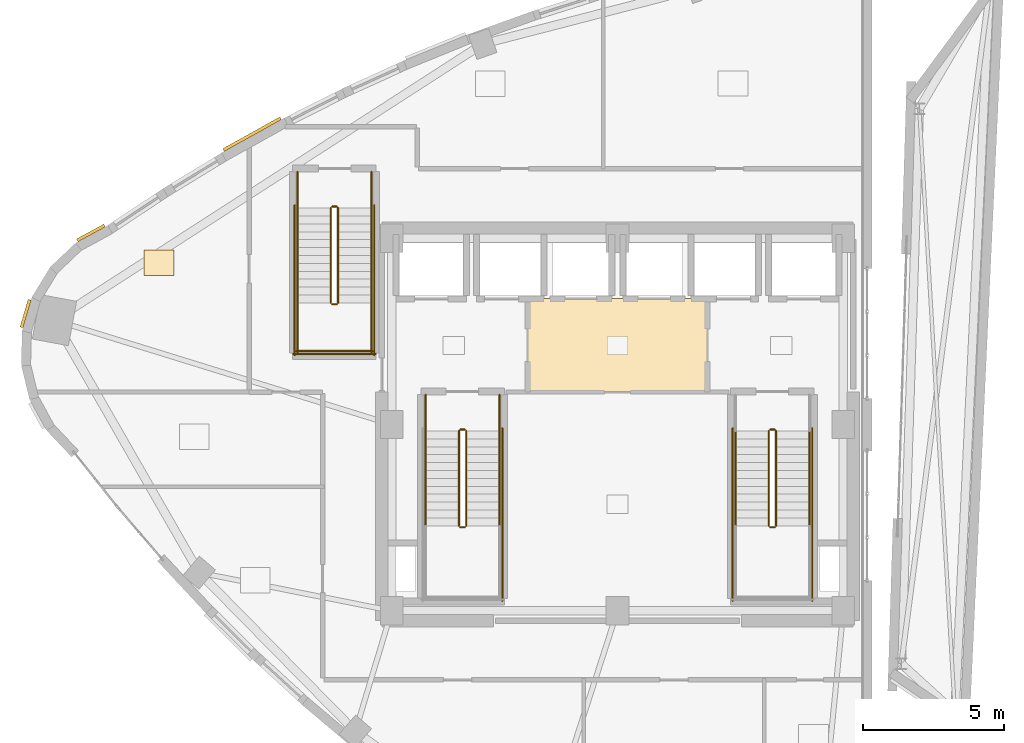
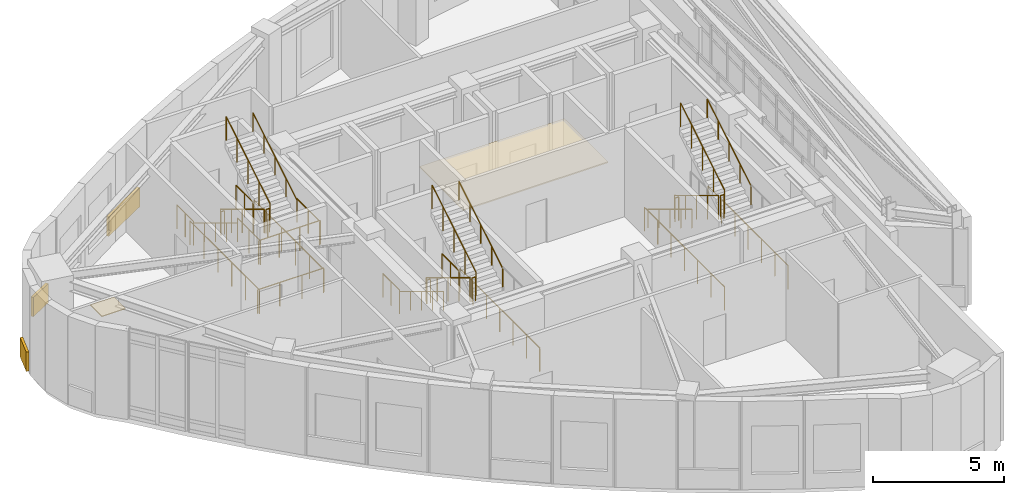
# One storey, part 18 of 19: 31 railings, 5 coverings.
"""IFC4 building model written with IfcOpenShell, lengths in metres."""

from ifc_helpers import new_model, si_unit, direction, frame, origin, origin_2d, place, context, subcontext, project, spatial, rectangle, circle, extrude, material, layer, layer_set, type_object, element, save


model = new_model("IFC4")

# Units and contexts
model_context = context("Model", 3, precision=1e-05, world=origin(), true_north=direction((0.0, 1.0)))
body_context = subcontext(model_context, "Body", "Model", "MODEL_VIEW")
ifc_project = project(units=[si_unit("LENGTHUNIT", "METRE"), si_unit("AREAUNIT", "SQUARE_METRE"), si_unit("VOLUMEUNIT", "CUBIC_METRE"), si_unit("PLANEANGLEUNIT", "RADIAN"), si_unit("MASSUNIT", "GRAM", prefix="KILO")], contexts=[model_context])

# Site, building, storey
site_placement = place(None, origin())
site = spatial("IfcSite", under=ifc_project, at=site_placement, CompositionType="ELEMENT")
building_placement = place(site_placement, origin())
building = spatial("IfcBuilding", under=site, at=building_placement, Name="Ndelora Gate Hotel", CompositionType="ELEMENT")
storey_placement = place(building_placement, frame((0.0, 0.0, 290.39990234375)))
storey = spatial("IfcBuildingStorey", under=building, at=storey_placement, Name="L72", CompositionType="ELEMENT", Elevation=290.39990234375)

# Coverings
ifc_material_1 = material(Name="Perforated Acoustic Gypsum Board", Category="gypsum")
ifc_layer_1 = layer(ifc_material_1, 0.054931640625)
ifc_layer_set_1 = layer_set([ifc_layer_1], Name="Perforated Acoustic Gypsum Board")
covering_type_1 = type_object("IfcCoveringType", Name="COV-CEIL-AC60", PredefinedType="CEILING", material=ifc_layer_set_1)
covering_1_placement = place(storey_placement, frame((0.0, 2.800048828125, 2.72265625), z_axis=(0.0, 0.0, 1.0), x_axis=(1.0, 0.0, 0.0)))
element("IfcCovering", 1, at=covering_1_placement, inside=storey, type_object=covering_type_1, Name="L72 Lift Lobby Acoustic Ceiling", PredefinedType="CEILING", context=body_context, shape_type="SweptSolid", body=[
    extrude(rectangle(XDim=6.39990234375, YDim=3.340087890625, at=origin_2d()), origin(), (0.0, 0.0, 1.0), 0.054931640625),
])
ifc_material_2 = material(Name="Terracotta Fired Clay Brick Slip Cladding", Category="masonry")
ifc_layer_2 = layer(ifc_material_2, 0.110107421875)
ifc_layer_set_2 = layer_set([ifc_layer_2], Name="Terracotta Fired Clay Brick Slip Cladding")
covering_type_2 = type_object("IfcCoveringType", Name="COV-CLAD-BRK", PredefinedType="CLADDING", material=ifc_layer_set_2)
covering_2_placement = place(storey_placement, frame((-18.65771484375, 6.7890625, 0.10009765625), z_axis=(0.0, 0.0, 1.0), x_axis=(0.878150016915, 0.478385354909, 0.0)))
element("IfcCovering", 2, at=covering_2_placement, inside=storey, type_object=covering_type_2, Name="L72 Rounded-Corner Brick Cladding Band 1", PredefinedType="CLADDING", context=body_context, shape_type="SweptSolid", body=[
    extrude(rectangle(XDim=1.09912109375, YDim=0.110107421875, at=origin_2d()), origin(), (0.0, 0.0, 1.0), 0.89990234375),
])
covering_3_placement = place(storey_placement, frame((-20.9736328125, 3.930419921875, 0.10009765625), z_axis=(0.0, 0.0, 1.0), x_axis=(0.282508884416, 0.959264682049, 0.0)))
element("IfcCovering", 3, at=covering_3_placement, inside=storey, type_object=covering_type_2, Name="L72 Rounded-Corner Brick Cladding Band 7", PredefinedType="CLADDING", context=body_context, shape_type="SweptSolid", body=[
    extrude(rectangle(XDim=1.01611328125, YDim=0.110107421875, at=origin_2d()), origin(), (0.0, 0.0, 1.0), 0.89990234375),
])
covering_4_placement = place(storey_placement, frame((-12.94775390625, 10.28857421875, 0.10009765625), z_axis=(0.0, 0.0, 1.0), x_axis=(0.873941932872, 0.486030346756, 0.0)))
element("IfcCovering", 4, at=covering_4_placement, inside=storey, type_object=covering_type_2, Name="L72 Rounded-Corner Brick Cladding Band 61", PredefinedType="CLADDING", context=body_context, shape_type="SweptSolid", body=[
    extrude(rectangle(XDim=2.31298828125, YDim=0.110107421875, at=origin_2d()), origin(), (0.0, 0.0, 1.0), 0.89990234375),
])
ifc_material_3 = material(Name="Engineered Highland Oak Parquet", Category="wood")
ifc_layer_3 = layer(ifc_material_3, 0.030029296875)
ifc_layer_set_3 = layer_set([ifc_layer_3], Name="Engineered Highland Oak Parquet")
covering_type_3 = type_object("IfcCoveringType", Name="COV-FLR-PARQ", PredefinedType="FLOORING", material=ifc_layer_set_3)
covering_5_placement = place(storey_placement, frame((-16.2470703125, 5.735107421875, 0.0), z_axis=(0.0, 0.0, 1.0), x_axis=(1.0, 0.0, 0.0)))
element("IfcCovering", 5, at=covering_5_placement, inside=storey, type_object=covering_type_3, Name="L72 Botanical Tea Dining Room Oak Parquet Flooring", PredefinedType="FLOORING", context=body_context, shape_type="SweptSolid", body=[
    extrude(rectangle(XDim=1.050048828125, YDim=0.89990234375, at=origin_2d()), origin(), (0.0, 0.0, 1.0), 0.030029296875),
])

# Railings
ifc_material_4 = material(Name="Painted Galvanized Steel Balustrade", Category="steel")
ifc_layer_4 = layer(ifc_material_4, 0.06005859375)
ifc_layer_set_4 = layer_set([ifc_layer_4], Name="Painted Galvanized Steel Balustrade")
railing_type_1 = type_object("IfcRailingType", Name="RL-STAIR-GD", PredefinedType="GUARDRAIL", material=ifc_layer_set_4)
railing_1_placement = place(storey_placement, frame((-5.6201171875, -0.22998046875, 0.16943359375)))
element("IfcRailing", 6, at=railing_1_placement, inside=storey, type_object=railing_type_1, Name="L72 ST4 stair guard 1", PredefinedType="GUARDRAIL", context=body_context, shape_type="SweptSolid", body=[
    extrude(circle(Radius=0.02392578125, at=origin_2d()), frame((0.0, 0.0, 1.10595703125), z_axis=(0.0, -0.855836976705, 0.517245656632), x_axis=(1.0, 0.0, 0.0)), (0.0, 0.0, 1.0), 3.926025390625),
    extrude(circle(Radius=0.02099609375, at=origin_2d()), origin(), (0.0, 0.0, 1.0), 1.081787109375),
    extrude(circle(Radius=0.02099609375, at=origin_2d()), frame((0.0, -0.840087890625, 0.5078125)), (0.0, 0.0, 1.0), 1.081787109375),
    extrude(circle(Radius=0.02099609375, at=origin_2d()), frame((0.0, -1.68017578125, 1.015380859375)), (0.0, 0.0, 1.0), 1.081787109375),
    extrude(circle(Radius=0.02099609375, at=origin_2d()), frame((0.0, -2.52001953125, 1.52294921875)), (0.0, 0.0, 1.0), 1.081787109375),
    extrude(circle(Radius=0.02099609375, at=origin_2d()), frame((0.0, -3.360107421875, 2.03076171875)), (0.0, 0.0, 1.0), 1.081787109375),
])
railing_2_placement = place(storey_placement, frame((-5.570068359375, -3.639892578125, 2.2001953125)))
element("IfcRailing", 7, at=railing_2_placement, inside=storey, type_object=railing_type_1, Name="L72 ST4 stair guard 2", PredefinedType="GUARDRAIL", context=body_context, shape_type="SweptSolid", body=[
    extrude(circle(Radius=0.02392578125, at=origin_2d()), frame((0.0, 0.0, 1.10595703125), z_axis=(1.0, 0.0, 0.0), x_axis=(0.0, 1.0, 0.0)), (0.0, 0.0, 1.0), 0.16015625),
    extrude(circle(Radius=0.02099609375, at=origin_2d()), origin(), (0.0, 0.0, 1.0), 1.081787109375),
    extrude(circle(Radius=0.02099609375, at=origin_2d()), frame((0.16015625, 0.0, 0.0)), (0.0, 0.0, 1.0), 1.081787109375),
])
railing_3_placement = place(storey_placement, frame((-5.360107421875, -3.590087890625, 2.369384765625)))
element("IfcRailing", 8, at=railing_3_placement, inside=storey, type_object=railing_type_1, Name="L72 ST4 stair guard 6", PredefinedType="GUARDRAIL", context=body_context, shape_type="SweptSolid", body=[
    extrude(circle(Radius=0.02392578125, at=origin_2d()), frame((0.0, 0.0, 1.10595703125), z_axis=(0.0, 0.855836976705, 0.517245656632), x_axis=(-1.0, 0.0, 0.0)), (0.0, 0.0, 1.0), 3.926025390625),
    extrude(circle(Radius=0.02099609375, at=origin_2d()), origin(), (0.0, 0.0, 1.0), 1.081787109375),
    extrude(circle(Radius=0.02099609375, at=origin_2d()), frame((0.0, 0.840087890625, 0.5078125)), (0.0, 0.0, 1.0), 1.081787109375),
    extrude(circle(Radius=0.02099609375, at=origin_2d()), frame((0.0, 1.68017578125, 1.015380859375)), (0.0, 0.0, 1.0), 1.081787109375),
    extrude(circle(Radius=0.02099609375, at=origin_2d()), frame((0.0, 2.52001953125, 1.52294921875)), (0.0, 0.0, 1.0), 1.081787109375),
    extrude(circle(Radius=0.02099609375, at=origin_2d()), frame((0.0, 3.360107421875, 2.03076171875)), (0.0, 0.0, 1.0), 1.081787109375),
])
railing_4_placement = place(storey_placement, frame((-5.570068359375, -0.179931640625, 0.0)))
element("IfcRailing", 9, at=railing_4_placement, inside=storey, type_object=railing_type_1, Name="L72 ST4 stair guard 7", PredefinedType="GUARDRAIL", context=body_context, shape_type="SweptSolid", body=[
    extrude(circle(Radius=0.02392578125, at=origin_2d()), frame((0.0, 0.0, 1.10595703125), z_axis=(1.0, 0.0, 0.0), x_axis=(0.0, 1.0, 0.0)), (0.0, 0.0, 1.0), 0.16015625),
    extrude(circle(Radius=0.02099609375, at=origin_2d()), origin(), (0.0, 0.0, 1.0), 1.081787109375),
    extrude(circle(Radius=0.02099609375, at=origin_2d()), frame((0.16015625, 0.0, 0.0)), (0.0, 0.0, 1.0), 1.081787109375),
])
for number, where, name in (
    (10, (-6.800048828125, 1.050048828125, 0.0), "L72 ST4 stair guard 8"),
    (11, (-4.179931640625, 1.050048828125, 0.0), "L72 ST4 stair guard 9"),
):
    element("IfcRailing", number, at=place(storey_placement, frame(where)), inside=storey, type_object=railing_type_1, Name=name, PredefinedType="GUARDRAIL", context=body_context, shape_type="SweptSolid", body=[
        extrude(circle(Radius=0.02392578125, at=origin_2d()), frame((0.0, 0.0, 1.10595703125), z_axis=(0.0, -1.0, 0.0), x_axis=(1.0, 0.0, 0.0)), (0.0, 0.0, 1.0), 1.280029296875),
        extrude(circle(Radius=0.02099609375, at=origin_2d()), origin(), (0.0, 0.0, 1.0), 1.081787109375),
        extrude(circle(Radius=0.02099609375, at=origin_2d()), frame((0.0, -0.64013671875, 0.0)), (0.0, 0.0, 1.0), 1.081787109375),
        extrude(circle(Radius=0.02099609375, at=origin_2d()), frame((0.0, -1.280029296875, 0.0)), (0.0, 0.0, 1.0), 1.081787109375),
    ])
railing_5_placement = place(storey_placement, frame((-4.080078125, -0.1298828125, 0.0)))
element("IfcRailing", 12, at=railing_5_placement, inside=storey, type_object=railing_type_1, Name="L72 ST4 stair guard 11", PredefinedType="GUARDRAIL", context=body_context, shape_type="SweptSolid", body=[
    extrude(circle(Radius=0.02392578125, at=origin_2d()), frame((0.0, 0.0, 1.10595703125), z_axis=(0.0, -1.0, 0.0), x_axis=(1.0, 0.0, 0.0)), (0.0, 0.0, 1.0), 6.1201171875),
    extrude(circle(Radius=0.02099609375, at=origin_2d()), origin(), (0.0, 0.0, 1.0), 1.081787109375),
    extrude(circle(Radius=0.02099609375, at=origin_2d()), frame((0.0, -1.02001953125, 0.0)), (0.0, 0.0, 1.0), 1.081787109375),
    extrude(circle(Radius=0.02099609375, at=origin_2d()), frame((0.0, -2.0400390625, 0.0)), (0.0, 0.0, 1.0), 1.081787109375),
    extrude(circle(Radius=0.02099609375, at=origin_2d()), frame((0.0, -3.06005859375, 0.0)), (0.0, 0.0, 1.0), 1.081787109375),
    extrude(circle(Radius=0.02099609375, at=origin_2d()), frame((0.0, -4.080078125, 0.0)), (0.0, 0.0, 1.0), 1.081787109375),
    extrude(circle(Radius=0.02099609375, at=origin_2d()), frame((0.0, -5.10009765625, 0.0)), (0.0, 0.0, 1.0), 1.081787109375),
    extrude(circle(Radius=0.02099609375, at=origin_2d()), frame((0.0, -6.1201171875, 0.0)), (0.0, 0.0, 1.0), 1.081787109375),
])
railing_6_placement = place(storey_placement, frame((5.360107421875, -0.22998046875, 0.16943359375)))
element("IfcRailing", 13, at=railing_6_placement, inside=storey, type_object=railing_type_1, Name="L72 ST5 stair guard 1", PredefinedType="GUARDRAIL", context=body_context, shape_type="SweptSolid", body=[
    extrude(circle(Radius=0.02392578125, at=origin_2d()), frame((0.0, 0.0, 1.10595703125), z_axis=(0.0, -0.855836976705, 0.517245656632), x_axis=(1.0, 0.0, 0.0)), (0.0, 0.0, 1.0), 3.926025390625),
    extrude(circle(Radius=0.02099609375, at=origin_2d()), origin(), (0.0, 0.0, 1.0), 1.081787109375),
    extrude(circle(Radius=0.02099609375, at=origin_2d()), frame((0.0, -0.840087890625, 0.5078125)), (0.0, 0.0, 1.0), 1.081787109375),
    extrude(circle(Radius=0.02099609375, at=origin_2d()), frame((0.0, -1.68017578125, 1.015380859375)), (0.0, 0.0, 1.0), 1.081787109375),
    extrude(circle(Radius=0.02099609375, at=origin_2d()), frame((0.0, -2.52001953125, 1.52294921875)), (0.0, 0.0, 1.0), 1.081787109375),
    extrude(circle(Radius=0.02099609375, at=origin_2d()), frame((0.0, -3.360107421875, 2.03076171875)), (0.0, 0.0, 1.0), 1.081787109375),
])
railing_7_placement = place(storey_placement, frame((5.409912109375, -3.639892578125, 2.2001953125)))
element("IfcRailing", 14, at=railing_7_placement, inside=storey, type_object=railing_type_1, Name="L72 ST5 stair guard 2", PredefinedType="GUARDRAIL", context=body_context, shape_type="SweptSolid", body=[
    extrude(circle(Radius=0.02392578125, at=origin_2d()), frame((0.0, 0.0, 1.10595703125), z_axis=(1.0, 0.0, 0.0), x_axis=(0.0, 1.0, 0.0)), (0.0, 0.0, 1.0), 0.16015625),
    extrude(circle(Radius=0.02099609375, at=origin_2d()), origin(), (0.0, 0.0, 1.0), 1.081787109375),
    extrude(circle(Radius=0.02099609375, at=origin_2d()), frame((0.16015625, 0.0, 0.0)), (0.0, 0.0, 1.0), 1.081787109375),
])
railing_8_placement = place(storey_placement, frame((5.6201171875, -3.590087890625, 2.369384765625)))
element("IfcRailing", 15, at=railing_8_placement, inside=storey, type_object=railing_type_1, Name="L72 ST5 stair guard 6", PredefinedType="GUARDRAIL", context=body_context, shape_type="SweptSolid", body=[
    extrude(circle(Radius=0.02392578125, at=origin_2d()), frame((0.0, 0.0, 1.10595703125), z_axis=(0.0, 0.855836976705, 0.517245656632), x_axis=(-1.0, 0.0, 0.0)), (0.0, 0.0, 1.0), 3.926025390625),
    extrude(circle(Radius=0.02099609375, at=origin_2d()), origin(), (0.0, 0.0, 1.0), 1.081787109375),
    extrude(circle(Radius=0.02099609375, at=origin_2d()), frame((0.0, 0.840087890625, 0.5078125)), (0.0, 0.0, 1.0), 1.081787109375),
    extrude(circle(Radius=0.02099609375, at=origin_2d()), frame((0.0, 1.68017578125, 1.015380859375)), (0.0, 0.0, 1.0), 1.081787109375),
    extrude(circle(Radius=0.02099609375, at=origin_2d()), frame((0.0, 2.52001953125, 1.52294921875)), (0.0, 0.0, 1.0), 1.081787109375),
    extrude(circle(Radius=0.02099609375, at=origin_2d()), frame((0.0, 3.360107421875, 2.03076171875)), (0.0, 0.0, 1.0), 1.081787109375),
])
railing_9_placement = place(storey_placement, frame((5.409912109375, -0.179931640625, 0.0)))
element("IfcRailing", 16, at=railing_9_placement, inside=storey, type_object=railing_type_1, Name="L72 ST5 stair guard 7", PredefinedType="GUARDRAIL", context=body_context, shape_type="SweptSolid", body=[
    extrude(circle(Radius=0.02392578125, at=origin_2d()), frame((0.0, 0.0, 1.10595703125), z_axis=(1.0, 0.0, 0.0), x_axis=(0.0, 1.0, 0.0)), (0.0, 0.0, 1.0), 0.16015625),
    extrude(circle(Radius=0.02099609375, at=origin_2d()), origin(), (0.0, 0.0, 1.0), 1.081787109375),
    extrude(circle(Radius=0.02099609375, at=origin_2d()), frame((0.16015625, 0.0, 0.0)), (0.0, 0.0, 1.0), 1.081787109375),
])
for number, where, name in (
    (17, (4.080078125, -0.1298828125, 0.0), "L72 ST5 stair guard 10"),
    (18, (6.89990234375, -0.1298828125, 0.0), "L72 ST5 stair guard 11"),
):
    element("IfcRailing", number, at=place(storey_placement, frame(where)), inside=storey, type_object=railing_type_1, Name=name, PredefinedType="GUARDRAIL", context=body_context, shape_type="SweptSolid", body=[
        extrude(circle(Radius=0.02392578125, at=origin_2d()), frame((0.0, 0.0, 1.10595703125), z_axis=(0.0, -1.0, 0.0), x_axis=(1.0, 0.0, 0.0)), (0.0, 0.0, 1.0), 6.1201171875),
        extrude(circle(Radius=0.02099609375, at=origin_2d()), origin(), (0.0, 0.0, 1.0), 1.081787109375),
        extrude(circle(Radius=0.02099609375, at=origin_2d()), frame((0.0, -1.02001953125, 0.0)), (0.0, 0.0, 1.0), 1.081787109375),
        extrude(circle(Radius=0.02099609375, at=origin_2d()), frame((0.0, -2.0400390625, 0.0)), (0.0, 0.0, 1.0), 1.081787109375),
        extrude(circle(Radius=0.02099609375, at=origin_2d()), frame((0.0, -3.06005859375, 0.0)), (0.0, 0.0, 1.0), 1.081787109375),
        extrude(circle(Radius=0.02099609375, at=origin_2d()), frame((0.0, -4.080078125, 0.0)), (0.0, 0.0, 1.0), 1.081787109375),
        extrude(circle(Radius=0.02099609375, at=origin_2d()), frame((0.0, -5.10009765625, 0.0)), (0.0, 0.0, 1.0), 1.081787109375),
        extrude(circle(Radius=0.02099609375, at=origin_2d()), frame((0.0, -6.1201171875, 0.0)), (0.0, 0.0, 1.0), 1.081787109375),
    ])
railing_10_placement = place(storey_placement, frame((-10.159912109375, 7.669921875, 0.16943359375)))
element("IfcRailing", 19, at=railing_10_placement, inside=storey, type_object=railing_type_1, Name="L72 ST6 stair guard 1", PredefinedType="GUARDRAIL", context=body_context, shape_type="SweptSolid", body=[
    extrude(circle(Radius=0.02392578125, at=origin_2d()), frame((0.0, 0.0, 1.10595703125), z_axis=(0.0, -0.855820338506, 0.51727318527), x_axis=(1.0, 0.0, 0.0)), (0.0, 0.0, 1.0), 3.92578125),
    extrude(circle(Radius=0.02099609375, at=origin_2d()), origin(), (0.0, 0.0, 1.0), 1.081787109375),
    extrude(circle(Radius=0.02099609375, at=origin_2d()), frame((0.0, -0.83984375, 0.5078125)), (0.0, 0.0, 1.0), 1.081787109375),
    extrude(circle(Radius=0.02099609375, at=origin_2d()), frame((0.0, -1.679931640625, 1.015380859375)), (0.0, 0.0, 1.0), 1.081787109375),
    extrude(circle(Radius=0.02099609375, at=origin_2d()), frame((0.0, -2.52001953125, 1.52294921875)), (0.0, 0.0, 1.0), 1.081787109375),
    extrude(circle(Radius=0.02099609375, at=origin_2d()), frame((0.0, -3.35986328125, 2.03076171875)), (0.0, 0.0, 1.0), 1.081787109375),
])
railing_11_placement = place(storey_placement, frame((-10.110107421875, 4.260009765625, 2.2001953125)))
element("IfcRailing", 20, at=railing_11_placement, inside=storey, type_object=railing_type_1, Name="L72 ST6 stair guard 2", PredefinedType="GUARDRAIL", context=body_context, shape_type="SweptSolid", body=[
    extrude(circle(Radius=0.02392578125, at=origin_2d()), frame((0.0, 0.0, 1.10595703125), z_axis=(1.0, 0.0, 0.0), x_axis=(0.0, 1.0, 0.0)), (0.0, 0.0, 1.0), 0.16015625),
    extrude(circle(Radius=0.02099609375, at=origin_2d()), origin(), (0.0, 0.0, 1.0), 1.081787109375),
    extrude(circle(Radius=0.02099609375, at=origin_2d()), frame((0.16015625, 0.0, 0.0)), (0.0, 0.0, 1.0), 1.081787109375),
])
for number, where, name in (
    (21, (-11.340087890625, 4.31005859375, 2.2001953125), "L72 ST6 stair guard 3"),
    (22, (-8.719970703125, 4.31005859375, 2.2001953125), "L72 ST6 stair guard 4"),
):
    element("IfcRailing", number, at=place(storey_placement, frame(where)), inside=storey, type_object=railing_type_1, Name=name, PredefinedType="GUARDRAIL", context=body_context, shape_type="SweptSolid", body=[
        extrude(circle(Radius=0.02392578125, at=origin_2d()), frame((0.0, 0.0, 1.10595703125), z_axis=(0.0, -1.0, 0.0), x_axis=(1.0, 0.0, 0.0)), (0.0, 0.0, 1.0), 1.760009765625),
        extrude(circle(Radius=0.02099609375, at=origin_2d()), origin(), (0.0, 0.0, 1.0), 1.081787109375),
        extrude(circle(Radius=0.02099609375, at=origin_2d()), frame((0.0, -0.8798828125, 0.0)), (0.0, 0.0, 1.0), 1.081787109375),
        extrude(circle(Radius=0.02099609375, at=origin_2d()), frame((0.0, -1.760009765625, 0.0)), (0.0, 0.0, 1.0), 1.081787109375),
    ])
railing_12_placement = place(storey_placement, frame((-11.389892578125, 2.60009765625, 2.2001953125)))
element("IfcRailing", 23, at=railing_12_placement, inside=storey, type_object=railing_type_1, Name="L72 ST6 stair guard 5", PredefinedType="GUARDRAIL", context=body_context, shape_type="SweptSolid", body=[
    extrude(circle(Radius=0.02392578125, at=origin_2d()), frame((0.0, 0.0, 1.10595703125), z_axis=(1.0, 0.0, 0.0), x_axis=(0.0, 1.0, 0.0)), (0.0, 0.0, 1.0), 2.719970703125),
    extrude(circle(Radius=0.02099609375, at=origin_2d()), origin(), (0.0, 0.0, 1.0), 1.081787109375),
    extrude(circle(Radius=0.02099609375, at=origin_2d()), frame((0.90673828125, 0.0, 0.0)), (0.0, 0.0, 1.0), 1.081787109375),
    extrude(circle(Radius=0.02099609375, at=origin_2d()), frame((1.813232421875, 0.0, 0.0)), (0.0, 0.0, 1.0), 1.081787109375),
    extrude(circle(Radius=0.02099609375, at=origin_2d()), frame((2.719970703125, 0.0, 0.0)), (0.0, 0.0, 1.0), 1.081787109375),
])
railing_13_placement = place(storey_placement, frame((-9.89990234375, 4.31005859375, 2.369384765625)))
element("IfcRailing", 24, at=railing_13_placement, inside=storey, type_object=railing_type_1, Name="L72 ST6 stair guard 6", PredefinedType="GUARDRAIL", context=body_context, shape_type="SweptSolid", body=[
    extrude(circle(Radius=0.02392578125, at=origin_2d()), frame((0.0, 0.0, 1.10595703125), z_axis=(0.0, 0.855820338506, 0.51727318527), x_axis=(-1.0, 0.0, 0.0)), (0.0, 0.0, 1.0), 3.92578125),
    extrude(circle(Radius=0.02099609375, at=origin_2d()), origin(), (0.0, 0.0, 1.0), 1.081787109375),
    extrude(circle(Radius=0.02099609375, at=origin_2d()), frame((0.0, 0.83984375, 0.5078125)), (0.0, 0.0, 1.0), 1.081787109375),
    extrude(circle(Radius=0.02099609375, at=origin_2d()), frame((0.0, 1.679931640625, 1.015380859375)), (0.0, 0.0, 1.0), 1.081787109375),
    extrude(circle(Radius=0.02099609375, at=origin_2d()), frame((0.0, 2.52001953125, 1.52294921875)), (0.0, 0.0, 1.0), 1.081787109375),
    extrude(circle(Radius=0.02099609375, at=origin_2d()), frame((0.0, 3.35986328125, 2.03076171875)), (0.0, 0.0, 1.0), 1.081787109375),
])
railing_14_placement = place(storey_placement, frame((-10.110107421875, 7.719970703125, 0.0)))
element("IfcRailing", 25, at=railing_14_placement, inside=storey, type_object=railing_type_1, Name="L72 ST6 stair guard 7", PredefinedType="GUARDRAIL", context=body_context, shape_type="SweptSolid", body=[
    extrude(circle(Radius=0.02392578125, at=origin_2d()), frame((0.0, 0.0, 1.10595703125), z_axis=(1.0, 0.0, 0.0), x_axis=(0.0, 1.0, 0.0)), (0.0, 0.0, 1.0), 0.16015625),
    extrude(circle(Radius=0.02099609375, at=origin_2d()), origin(), (0.0, 0.0, 1.0), 1.081787109375),
    extrude(circle(Radius=0.02099609375, at=origin_2d()), frame((0.16015625, 0.0, 0.0)), (0.0, 0.0, 1.0), 1.081787109375),
])
for number, where, name in (
    (26, (-11.340087890625, 8.949951171875, 0.0), "L72 ST6 stair guard 8"),
    (27, (-8.719970703125, 8.949951171875, 0.0), "L72 ST6 stair guard 9"),
):
    element("IfcRailing", number, at=place(storey_placement, frame(where)), inside=storey, type_object=railing_type_1, Name=name, PredefinedType="GUARDRAIL", context=body_context, shape_type="SweptSolid", body=[
        extrude(circle(Radius=0.02392578125, at=origin_2d()), frame((0.0, 0.0, 1.10595703125), z_axis=(0.0, -1.0, 0.0), x_axis=(1.0, 0.0, 0.0)), (0.0, 0.0, 1.0), 1.280029296875),
        extrude(circle(Radius=0.02099609375, at=origin_2d()), origin(), (0.0, 0.0, 1.0), 1.081787109375),
        extrude(circle(Radius=0.02099609375, at=origin_2d()), frame((0.0, -0.64013671875, 0.0)), (0.0, 0.0, 1.0), 1.081787109375),
        extrude(circle(Radius=0.02099609375, at=origin_2d()), frame((0.0, -1.280029296875, 0.0)), (0.0, 0.0, 1.0), 1.081787109375),
    ])
for number, where, name in (
    (28, (-11.43994140625, 7.77001953125, 0.0), "L72 ST6 stair guard 10"),
    (29, (-8.6201171875, 7.77001953125, 0.0), "L72 ST6 stair guard 11"),
):
    element("IfcRailing", number, at=place(storey_placement, frame(where)), inside=storey, type_object=railing_type_1, Name=name, PredefinedType="GUARDRAIL", context=body_context, shape_type="SweptSolid", body=[
        extrude(circle(Radius=0.02392578125, at=origin_2d()), frame((0.0, 0.0, 1.10595703125), z_axis=(0.0, -1.0, 0.0), x_axis=(1.0, 0.0, 0.0)), (0.0, 0.0, 1.0), 5.320068359375),
        extrude(circle(Radius=0.02099609375, at=origin_2d()), origin(), (0.0, 0.0, 1.0), 1.081787109375),
        extrude(circle(Radius=0.02099609375, at=origin_2d()), frame((0.0, -1.06396484375, 0.0)), (0.0, 0.0, 1.0), 1.081787109375),
        extrude(circle(Radius=0.02099609375, at=origin_2d()), frame((0.0, -2.1279296875, 0.0)), (0.0, 0.0, 1.0), 1.081787109375),
        extrude(circle(Radius=0.02099609375, at=origin_2d()), frame((0.0, -3.192138671875, 0.0)), (0.0, 0.0, 1.0), 1.081787109375),
        extrude(circle(Radius=0.02099609375, at=origin_2d()), frame((0.0, -4.256103515625, 0.0)), (0.0, 0.0, 1.0), 1.081787109375),
        extrude(circle(Radius=0.02099609375, at=origin_2d()), frame((0.0, -5.320068359375, 0.0)), (0.0, 0.0, 1.0), 1.081787109375),
    ])
railing_15_placement = place(storey_placement, frame((-11.489990234375, 2.5, 0.0)))
element("IfcRailing", 30, at=railing_15_placement, inside=storey, type_object=railing_type_1, Name="L72 ST6 stair guard 12", PredefinedType="GUARDRAIL", context=body_context, shape_type="SweptSolid", body=[
    extrude(circle(Radius=0.02392578125, at=origin_2d()), frame((0.0, 0.0, 1.10595703125), z_axis=(1.0, 0.0, 0.0), x_axis=(0.0, 1.0, 0.0)), (0.0, 0.0, 1.0), 2.919921875),
    extrude(circle(Radius=0.02099609375, at=origin_2d()), origin(), (0.0, 0.0, 1.0), 1.081787109375),
    extrude(circle(Radius=0.02099609375, at=origin_2d()), frame((0.973388671875, 0.0, 0.0)), (0.0, 0.0, 1.0), 1.081787109375),
    extrude(circle(Radius=0.02099609375, at=origin_2d()), frame((1.946533203125, 0.0, 0.0)), (0.0, 0.0, 1.0), 1.081787109375),
    extrude(circle(Radius=0.02099609375, at=origin_2d()), frame((2.919921875, 0.0, 0.0)), (0.0, 0.0, 1.0), 1.081787109375),
])
ifc_material_5 = material(Name="Brushed Stainless Steel 316", Category="steel")
ifc_layer_5 = layer(ifc_material_5, 0.050048828125)
ifc_layer_set_5 = layer_set([ifc_layer_5], Name="Brushed Stainless Steel 316")
railing_type_2 = type_object("IfcRailingType", Name="RL-STAIR-HR", PredefinedType="HANDRAIL", material=ifc_layer_set_5)
railing_16_placement = place(storey_placement, frame((-6.800048828125, -0.22998046875, 0.16943359375)))
element("IfcRailing", 31, at=railing_16_placement, inside=storey, type_object=railing_type_2, Name="L72 ST4 stair handrail 1", PredefinedType="HANDRAIL", context=body_context, shape_type="SweptSolid", body=[
    extrude(circle(Radius=0.02392578125, at=origin_2d()), frame((0.0, 0.0, 0.8759765625), z_axis=(0.0, -0.855836976705, 0.517245656632), x_axis=(1.0, 0.0, 0.0)), (0.0, 0.0, 1.0), 3.926025390625),
    extrude(circle(Radius=0.02099609375, at=origin_2d()), origin(), (0.0, 0.0, 1.0), 0.851806640625),
    extrude(circle(Radius=0.02099609375, at=origin_2d()), frame((0.0, -0.840087890625, 0.5078125)), (0.0, 0.0, 1.0), 0.851806640625),
    extrude(circle(Radius=0.02099609375, at=origin_2d()), frame((0.0, -1.68017578125, 1.015380859375)), (0.0, 0.0, 1.0), 0.851806640625),
    extrude(circle(Radius=0.02099609375, at=origin_2d()), frame((0.0, -2.52001953125, 1.52294921875)), (0.0, 0.0, 1.0), 0.851806640625),
    extrude(circle(Radius=0.02099609375, at=origin_2d()), frame((0.0, -3.360107421875, 2.03076171875)), (0.0, 0.0, 1.0), 0.851806640625),
])
railing_17_placement = place(storey_placement, frame((-4.179931640625, -3.590087890625, 2.369384765625)))
element("IfcRailing", 32, at=railing_17_placement, inside=storey, type_object=railing_type_2, Name="L72 ST4 stair handrail 2", PredefinedType="HANDRAIL", context=body_context, shape_type="SweptSolid", body=[
    extrude(circle(Radius=0.02392578125, at=origin_2d()), frame((0.0, 0.0, 0.8759765625), z_axis=(0.0, 0.855836976705, 0.517245656632), x_axis=(-1.0, 0.0, 0.0)), (0.0, 0.0, 1.0), 3.926025390625),
    extrude(circle(Radius=0.02099609375, at=origin_2d()), origin(), (0.0, 0.0, 1.0), 0.851806640625),
    extrude(circle(Radius=0.02099609375, at=origin_2d()), frame((0.0, 0.840087890625, 0.5078125)), (0.0, 0.0, 1.0), 0.851806640625),
    extrude(circle(Radius=0.02099609375, at=origin_2d()), frame((0.0, 1.68017578125, 1.015380859375)), (0.0, 0.0, 1.0), 0.851806640625),
    extrude(circle(Radius=0.02099609375, at=origin_2d()), frame((0.0, 2.52001953125, 1.52294921875)), (0.0, 0.0, 1.0), 0.851806640625),
    extrude(circle(Radius=0.02099609375, at=origin_2d()), frame((0.0, 3.360107421875, 2.03076171875)), (0.0, 0.0, 1.0), 0.851806640625),
])
railing_18_placement = place(storey_placement, frame((4.179931640625, -0.22998046875, 0.16943359375)))
element("IfcRailing", 33, at=railing_18_placement, inside=storey, type_object=railing_type_2, Name="L72 ST5 stair handrail 1", PredefinedType="HANDRAIL", context=body_context, shape_type="SweptSolid", body=[
    extrude(circle(Radius=0.02392578125, at=origin_2d()), frame((0.0, 0.0, 0.8759765625), z_axis=(0.0, -0.855836976705, 0.517245656632), x_axis=(1.0, 0.0, 0.0)), (0.0, 0.0, 1.0), 3.926025390625),
    extrude(circle(Radius=0.02099609375, at=origin_2d()), origin(), (0.0, 0.0, 1.0), 0.851806640625),
    extrude(circle(Radius=0.02099609375, at=origin_2d()), frame((0.0, -0.840087890625, 0.5078125)), (0.0, 0.0, 1.0), 0.851806640625),
    extrude(circle(Radius=0.02099609375, at=origin_2d()), frame((0.0, -1.68017578125, 1.015380859375)), (0.0, 0.0, 1.0), 0.851806640625),
    extrude(circle(Radius=0.02099609375, at=origin_2d()), frame((0.0, -2.52001953125, 1.52294921875)), (0.0, 0.0, 1.0), 0.851806640625),
    extrude(circle(Radius=0.02099609375, at=origin_2d()), frame((0.0, -3.360107421875, 2.03076171875)), (0.0, 0.0, 1.0), 0.851806640625),
])
railing_19_placement = place(storey_placement, frame((6.800048828125, -3.590087890625, 2.369384765625)))
element("IfcRailing", 34, at=railing_19_placement, inside=storey, type_object=railing_type_2, Name="L72 ST5 stair handrail 2", PredefinedType="HANDRAIL", context=body_context, shape_type="SweptSolid", body=[
    extrude(circle(Radius=0.02392578125, at=origin_2d()), frame((0.0, 0.0, 0.8759765625), z_axis=(0.0, 0.855836976705, 0.517245656632), x_axis=(-1.0, 0.0, 0.0)), (0.0, 0.0, 1.0), 3.926025390625),
    extrude(circle(Radius=0.02099609375, at=origin_2d()), origin(), (0.0, 0.0, 1.0), 0.851806640625),
    extrude(circle(Radius=0.02099609375, at=origin_2d()), frame((0.0, 0.840087890625, 0.5078125)), (0.0, 0.0, 1.0), 0.851806640625),
    extrude(circle(Radius=0.02099609375, at=origin_2d()), frame((0.0, 1.68017578125, 1.015380859375)), (0.0, 0.0, 1.0), 0.851806640625),
    extrude(circle(Radius=0.02099609375, at=origin_2d()), frame((0.0, 2.52001953125, 1.52294921875)), (0.0, 0.0, 1.0), 0.851806640625),
    extrude(circle(Radius=0.02099609375, at=origin_2d()), frame((0.0, 3.360107421875, 2.03076171875)), (0.0, 0.0, 1.0), 0.851806640625),
])
railing_20_placement = place(storey_placement, frame((-11.340087890625, 7.669921875, 0.16943359375)))
element("IfcRailing", 35, at=railing_20_placement, inside=storey, type_object=railing_type_2, Name="L72 ST6 stair handrail 1", PredefinedType="HANDRAIL", context=body_context, shape_type="SweptSolid", body=[
    extrude(circle(Radius=0.02392578125, at=origin_2d()), frame((0.0, 0.0, 0.8759765625), z_axis=(0.0, -0.855820338506, 0.51727318527), x_axis=(1.0, 0.0, 0.0)), (0.0, 0.0, 1.0), 3.92578125),
    extrude(circle(Radius=0.02099609375, at=origin_2d()), origin(), (0.0, 0.0, 1.0), 0.851806640625),
    extrude(circle(Radius=0.02099609375, at=origin_2d()), frame((0.0, -0.83984375, 0.5078125)), (0.0, 0.0, 1.0), 0.851806640625),
    extrude(circle(Radius=0.02099609375, at=origin_2d()), frame((0.0, -1.679931640625, 1.015380859375)), (0.0, 0.0, 1.0), 0.851806640625),
    extrude(circle(Radius=0.02099609375, at=origin_2d()), frame((0.0, -2.52001953125, 1.52294921875)), (0.0, 0.0, 1.0), 0.851806640625),
    extrude(circle(Radius=0.02099609375, at=origin_2d()), frame((0.0, -3.35986328125, 2.03076171875)), (0.0, 0.0, 1.0), 0.851806640625),
])
railing_21_placement = place(storey_placement, frame((-8.719970703125, 4.31005859375, 2.369384765625)))
element("IfcRailing", 36, at=railing_21_placement, inside=storey, type_object=railing_type_2, Name="L72 ST6 stair handrail 2", PredefinedType="HANDRAIL", context=body_context, shape_type="SweptSolid", body=[
    extrude(circle(Radius=0.02392578125, at=origin_2d()), frame((0.0, 0.0, 0.8759765625), z_axis=(0.0, 0.855820338506, 0.51727318527), x_axis=(-1.0, 0.0, 0.0)), (0.0, 0.0, 1.0), 3.92578125),
    extrude(circle(Radius=0.02099609375, at=origin_2d()), origin(), (0.0, 0.0, 1.0), 0.851806640625),
    extrude(circle(Radius=0.02099609375, at=origin_2d()), frame((0.0, 0.83984375, 0.5078125)), (0.0, 0.0, 1.0), 0.851806640625),
    extrude(circle(Radius=0.02099609375, at=origin_2d()), frame((0.0, 1.679931640625, 1.015380859375)), (0.0, 0.0, 1.0), 0.851806640625),
    extrude(circle(Radius=0.02099609375, at=origin_2d()), frame((0.0, 2.52001953125, 1.52294921875)), (0.0, 0.0, 1.0), 0.851806640625),
    extrude(circle(Radius=0.02099609375, at=origin_2d()), frame((0.0, 3.35986328125, 2.03076171875)), (0.0, 0.0, 1.0), 0.851806640625),
])

save(model, "model.ifc")
